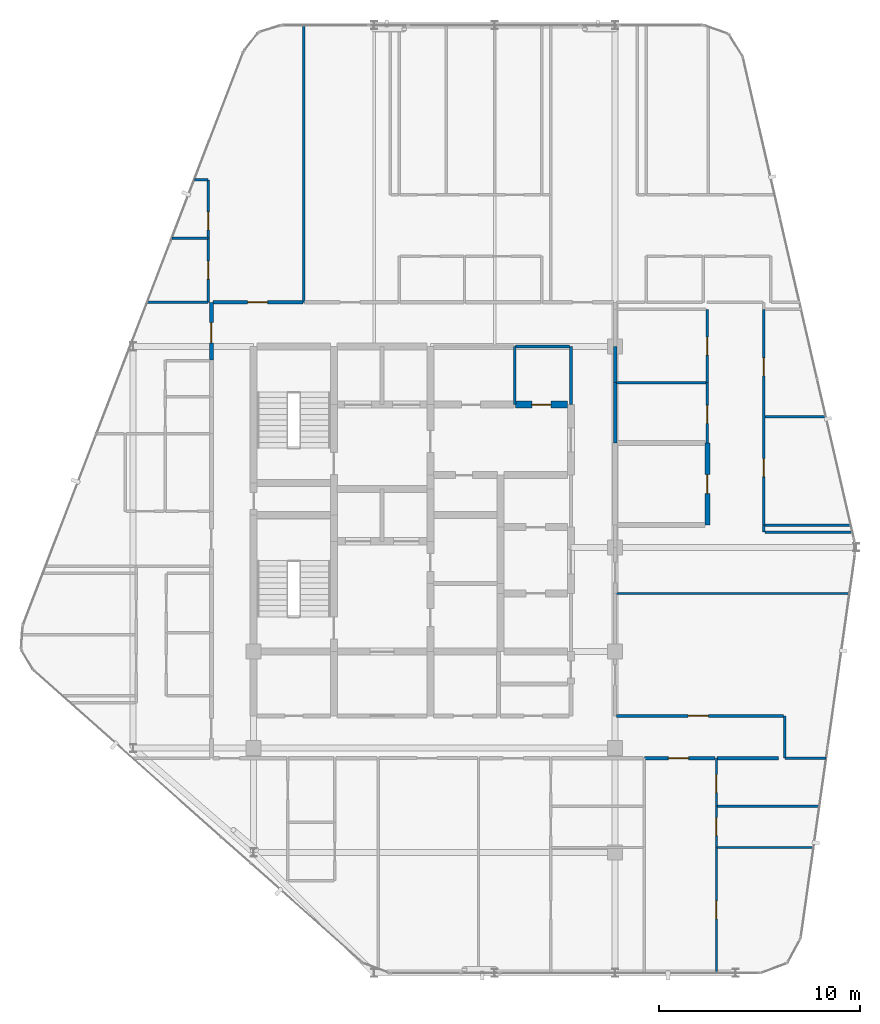
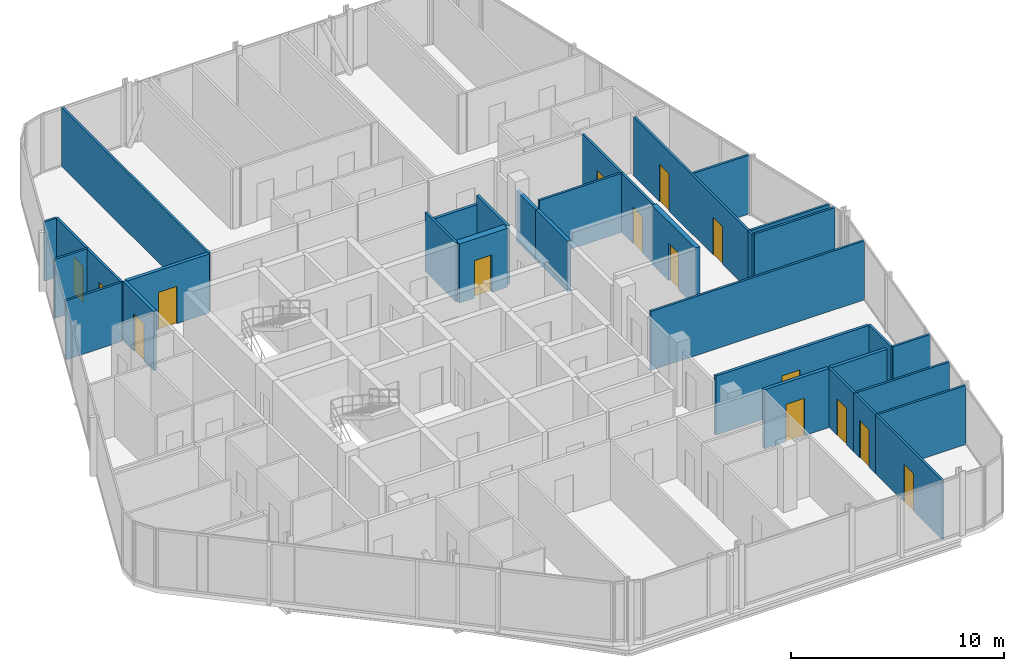
# One storey, part 25 of 28: 34 walls, 15 doors, 15 openings.
"""IFC4 building model written with IfcOpenShell, lengths in metres."""

from ifc_helpers import new_model, si_unit, direction, frame, frame_2d, origin, place, context, subcontext, project, spatial, rectangle, extrude, material, layer, layer_set, type_object, element, fill, save


model = new_model("IFC4")

# Units and contexts
model_context = context("Model", 3, precision=1e-05, world=origin(), true_north=direction((0.0, 1.0)))
body_context = subcontext(model_context, "Body", "Model", "MODEL_VIEW")
ifc_project = project(units=[si_unit("LENGTHUNIT", "METRE"), si_unit("AREAUNIT", "SQUARE_METRE"), si_unit("VOLUMEUNIT", "CUBIC_METRE"), si_unit("PLANEANGLEUNIT", "RADIAN"), si_unit("MASSUNIT", "GRAM", prefix="KILO")], contexts=[model_context])

# Site, building, storey
site_placement = place(None, origin())
site = spatial("IfcSite", under=ifc_project, at=site_placement, CompositionType="ELEMENT")
building_placement = place(site_placement, origin())
building = spatial("IfcBuilding", under=site, at=building_placement, Name="Keshet Zoharim Tower", CompositionType="ELEMENT")
storey_placement = place(building_placement, frame((0.0, 0.0, 265.800048828125)))
storey = spatial("IfcBuildingStorey", under=building, at=storey_placement, Name="L66", CompositionType="ELEMENT", Elevation=265.800048828125)

# Wall
ifc_material_1 = material(Name="Gypsum Plasterboard", Category="gypsum")
ifc_layer_1 = layer(ifc_material_1, 0.14990234375)
ifc_layer_set_1 = layer_set([ifc_layer_1], Name="Gypsum Plasterboard")
wall_type_1 = type_object("IfcWallType", Name="WL-CLIN-150", PredefinedType="STANDARD", material=ifc_layer_set_1)
wall_1_placement = place(storey_placement, frame((30.800048828125, 35.0, 0.0), z_axis=(0.0, 0.0, 1.0), x_axis=(0.0, 1.0, 0.0)))
element("IfcWall", 1, at=wall_1_placement, inside=storey, type_object=wall_type_1, Name="L66 Interior Wall 071", PredefinedType="STANDARD", context=body_context, shape_type="SweptSolid", body=[
    extrude(rectangle(XDim=2.89990234375, YDim=0.14990234375, at=frame_2d((1.449951171875, 0.0))), origin(), (0.0, 0.0, 1.0), 3.389892578125),
])

# Wall, opening, door
wall_2_placement = place(storey_placement, frame((33.06005859375, 19.5, 0.0), z_axis=(0.0, 0.0, 1.0), x_axis=(1.0, 0.0, 0.0)))
wall_2 = element("IfcWall", 2, at=wall_2_placement, inside=storey, type_object=wall_type_1, Name="L66 Interior Wall 117", PredefinedType="STANDARD", context=body_context, shape_type="SweptSolid", body=[
    extrude(rectangle(XDim=8.322998046875, YDim=0.14990234375, at=frame_2d((4.16162109375, 0.0))), origin(), (0.0, 0.0, 1.0), 3.389892578125),
])
opening_1_placement = place(wall_2_placement, frame((3.5830078125, 0.0, 0.0)))
opening_1 = element("IfcOpeningElement", 3, at=opening_1_placement, cuts=wall_2, Name="Opening D-F310", PredefinedType="OPENING", context=body_context, shape_type="SweptSolid", body=[
    extrude(rectangle(XDim=1.0, YDim=2.14990234375, at=frame_2d((0.5, 1.074951171875))), frame((0.0, 0.0849609375, 0.0), z_axis=(0.0, -1.0, 0.0), x_axis=(1.0, 0.0, 0.0)), (0.0, 0.0, 1.0), 0.169921875),
])
ifc_material_2 = material(Name="Hardwood Timber", Category="wood")
door_type_1 = type_object("IfcDoorType", Name="DR-FD30-100", OperationType="NOTDEFINED", PredefinedType="DOOR", material=ifc_material_2)
door_1_placement = place(opening_1_placement, origin())
door_1 = element("IfcDoor", 4, at=door_1_placement, inside=storey, type_object=door_type_1, Name="L66 South West Residents Services Suite Door 1", OperationType="SINGLE_SWING_RIGHT", OverallHeight=2.14990234375, OverallWidth=1.0, PredefinedType="DOOR", context=body_context, shape_type="SweptSolid", body=[
    extrude(rectangle(XDim=1.0, YDim=2.14990234375, at=frame_2d((0.5, 1.074951171875))), frame((0.0, 0.02490234375, 0.0), z_axis=(0.0, -1.0, 0.0), x_axis=(1.0, 0.0, 0.0)), (0.0, 0.0, 1.0), 0.050048828125),
])
fill(opening_1, door_1)

# Wall
wall_3_placement = place(storey_placement, frame((28.044921875, 37.89990234375, 0.0), z_axis=(0.0, 0.0, 1.0), x_axis=(1.0, 0.0, 0.0)))
element("IfcWall", 5, at=wall_3_placement, inside=storey, type_object=wall_type_1, Name="L66 Interior Wall 162", PredefinedType="STANDARD", context=body_context, shape_type="SweptSolid", body=[
    extrude(rectangle(XDim=2.695068359375, YDim=0.14990234375, at=frame_2d((1.34765625, 0.0))), origin(), (0.0, 0.0, 1.0), 2.889892578125),
])

# Wall, opening, door
ifc_material_3 = material(Name="Concrete C60/75", Category="concrete")
ifc_layer_2 = layer(ifc_material_3, 0.35009765625)
ifc_layer_set_2 = layer_set([ifc_layer_2], Name="Concrete C60/75")
wall_type_2 = type_object("IfcWallType", Name="WL-CORE-350", PredefinedType="SHEAR", material=ifc_layer_set_2)
wall_4_placement = place(storey_placement, frame((28.044921875, 35.0, 0.0), z_axis=(0.0, 0.0, 1.0), x_axis=(1.0, 0.0, 0.0)))
wall_4 = element("IfcWall", 6, at=wall_4_placement, inside=storey, type_object=wall_type_2, Name="L66 Core Shear Wall 155", PredefinedType="SHEAR", context=body_context, shape_type="SweptSolid", body=[
    extrude(rectangle(XDim=2.594970703125, YDim=0.35009765625, at=frame_2d((1.29736328125, 0.0))), origin(), (0.0, 0.0, 1.0), 3.389892578125),
])
opening_2_placement = place(wall_4_placement, frame((0.805908203125, 0.0, 0.0)))
opening_2 = element("IfcOpeningElement", 7, at=opening_2_placement, cuts=wall_4, Name="Opening D-F695", PredefinedType="OPENING", context=body_context, shape_type="SweptSolid", body=[
    extrude(rectangle(XDim=0.949951171875, YDim=2.14990234375, at=frame_2d((0.47509765625, 1.074951171875))), frame((0.0, 0.18505859375, 0.0), z_axis=(0.0, -1.0, 0.0), x_axis=(1.0, 0.0, 0.0)), (0.0, 0.0, 1.0), 0.3701171875),
])
door_type_2 = type_object("IfcDoorType", Name="DR-FD60-095", OperationType="NOTDEFINED", PredefinedType="DOOR", material=ifc_material_2)
door_2_placement = place(opening_2_placement, frame((0.949951171875, 0.0, 0.0), z_axis=(0.0, 0.0, 1.0), x_axis=(-1.0, 0.0, 0.0)))
door_2 = element("IfcDoor", 8, at=door_2_placement, inside=storey, type_object=door_type_2, Name="L66 Quiet Study Room Door", OperationType="SINGLE_SWING_RIGHT", OverallHeight=2.14990234375, OverallWidth=0.949951171875, PredefinedType="DOOR", context=body_context, shape_type="SweptSolid", body=[
    extrude(rectangle(XDim=0.949951171875, YDim=2.14990234375, at=frame_2d((0.47509765625, 1.074951171875))), frame((0.0, 0.02490234375, 0.0), z_axis=(0.0, -1.0, 0.0), x_axis=(1.0, 0.0, 0.0)), (0.0, 0.0, 1.0), 0.050048828125),
])
fill(opening_2, door_2)

ifc_layer_3 = layer(ifc_material_1, 0.179931640625)
ifc_layer_set_3 = layer_set([ifc_layer_3], Name="Gypsum Plasterboard")
wall_type_3 = type_object("IfcWallType", Name="WL-CORR-180", PredefinedType="STANDARD", material=ifc_layer_set_3)
wall_5_placement = place(storey_placement, frame((12.89990234375, 37.221923828125, 0.0), z_axis=(0.0, 0.0, 1.0), x_axis=(0.0, 1.0, 0.0)))
wall_5 = element("IfcWall", 9, at=wall_5_placement, inside=storey, type_object=wall_type_3, Name="L66 Interior Wall 020", PredefinedType="STANDARD", context=body_context, shape_type="SweptSolid", body=[
    extrude(rectangle(XDim=2.878173828125, YDim=0.179931640625, at=frame_2d((1.43896484375, 0.0))), origin(), (0.0, 0.0, 1.0), 3.389892578125),
])
opening_3_placement = place(wall_5_placement, frame((0.864013671875, 0.0, 0.0)))
opening_3 = element("IfcOpeningElement", 10, at=opening_3_placement, cuts=wall_5, Name="Opening D-F310", PredefinedType="OPENING", context=body_context, shape_type="SweptSolid", body=[
    extrude(rectangle(XDim=1.0, YDim=2.14990234375, at=frame_2d((0.5, 1.074951171875))), frame((0.0, 0.10009765625, 0.0), z_axis=(0.0, -1.0, 0.0), x_axis=(1.0, 0.0, 0.0)), (0.0, 0.0, 1.0), 0.199951171875),
])
door_3_placement = place(opening_3_placement, origin())
door_3 = element("IfcDoor", 11, at=door_3_placement, inside=storey, type_object=door_type_1, Name="Apartment 6609 Entrance Door", OperationType="SINGLE_SWING_LEFT", OverallHeight=2.14990234375, OverallWidth=1.0, PredefinedType="DOOR", context=body_context, shape_type="SweptSolid", body=[
    extrude(rectangle(XDim=1.0, YDim=2.14990234375, at=frame_2d((0.5, 1.074951171875))), frame((0.0, 0.02490234375, 0.0), z_axis=(0.0, -1.0, 0.0), x_axis=(1.0, 0.0, 0.0)), (0.0, 0.0, 1.0), 0.050048828125),
])
fill(opening_3, door_3)

# Walls
wall_6_placement = place(storey_placement, frame((33.0, 33.0849609375, 0.0), z_axis=(0.0, 0.0, 1.0), x_axis=(0.0, 1.0, 0.0)))
element("IfcWall", 12, at=wall_6_placement, inside=storey, type_object=wall_type_3, Name="L66 Interior Wall 075", PredefinedType="STANDARD", context=body_context, shape_type="SweptSolid", body=[
    extrude(rectangle(XDim=3.010009765625, YDim=0.179931640625, at=frame_2d((1.5048828125, 0.0))), origin(), (0.0, 0.0, 1.0), 2.889892578125),
])
wall_7_placement = place(storey_placement, frame((33.0, 36.094970703125, 0.0), z_axis=(0.0, 0.0, 1.0), x_axis=(0.0, 1.0, 0.0)))
element("IfcWall", 13, at=wall_7_placement, inside=storey, type_object=wall_type_3, Name="L66 Interior Wall 076", PredefinedType="STANDARD", context=body_context, shape_type="SweptSolid", body=[
    extrude(rectangle(XDim=1.804931640625, YDim=0.179931640625, at=frame_2d((0.90234375, 0.0))), origin(), (0.0, 0.0, 1.0), 2.889892578125),
])

# Wall, opening, door
wall_8_placement = place(storey_placement, frame((34.47509765625, 17.39990234375, 0.0), z_axis=(0.0, 0.0, 1.0), x_axis=(1.0, 0.0, 0.0)))
wall_8 = element("IfcWall", 14, at=wall_8_placement, inside=storey, type_object=wall_type_3, Name="L66 Interior Wall 110", PredefinedType="STANDARD", context=body_context, shape_type="SweptSolid", body=[
    extrude(rectangle(XDim=3.510009765625, YDim=0.179931640625, at=frame_2d((1.7548828125, 0.0))), origin(), (0.0, 0.0, 1.0), 3.389892578125),
])
opening_4_placement = place(wall_8_placement, frame((1.18505859375, 0.0, 0.0)))
opening_4 = element("IfcOpeningElement", 15, at=opening_4_placement, cuts=wall_8, Name="Opening D-F310", PredefinedType="OPENING", context=body_context, shape_type="SweptSolid", body=[
    extrude(rectangle(XDim=1.0, YDim=2.14990234375, at=frame_2d((0.5, 1.074951171875))), frame((0.0, 0.10009765625, 0.0), z_axis=(0.0, -1.0, 0.0), x_axis=(1.0, 0.0, 0.0)), (0.0, 0.0, 1.0), 0.199951171875),
])
door_4_placement = place(opening_4_placement, origin())
door_4 = element("IfcDoor", 16, at=door_4_placement, inside=storey, type_object=door_type_1, Name="Apartment 6603 Entrance Door", OperationType="SINGLE_SWING_LEFT", OverallHeight=2.14990234375, OverallWidth=1.0, PredefinedType="DOOR", context=body_context, shape_type="SweptSolid", body=[
    extrude(rectangle(XDim=1.0, YDim=2.14990234375, at=frame_2d((0.5, 1.074951171875))), frame((0.0, 0.02490234375, 0.0), z_axis=(0.0, -1.0, 0.0), x_axis=(1.0, 0.0, 0.0)), (0.0, 0.0, 1.0), 0.050048828125),
])
fill(opening_4, door_4)

# Wall
wall_9_placement = place(storey_placement, frame((38.074951171875, 17.39990234375, 0.0), z_axis=(0.0, 0.0, 1.0), x_axis=(1.0, 0.0, 0.0)))
element("IfcWall", 17, at=wall_9_placement, inside=storey, type_object=wall_type_3, Name="L66 Interior Wall 111", PredefinedType="STANDARD", context=body_context, shape_type="SweptSolid", body=[
    extrude(rectangle(XDim=3.054931640625, YDim=0.179931640625, at=frame_2d((1.52734375, 0.0))), origin(), (0.0, 0.0, 1.0), 3.389892578125),
])

# Wall, opening, door
wall_10_placement = place(storey_placement, frame((12.97509765625, 40.10009765625, 0.0), z_axis=(0.0, 0.0, 1.0), x_axis=(1.0, 0.0, 0.0)))
wall_10 = element("IfcWall", 18, at=wall_10_placement, inside=storey, type_object=wall_type_3, Name="L66 Interior Wall 166", PredefinedType="STANDARD", context=body_context, shape_type="SweptSolid", body=[
    extrude(rectangle(XDim=4.47998046875, YDim=0.179931640625, at=frame_2d((2.239990234375, 0.0))), origin(), (0.0, 0.0, 1.0), 3.389892578125),
])
opening_5_placement = place(wall_10_placement, frame((1.72509765625, 0.0, 0.0)))
opening_5 = element("IfcOpeningElement", 19, at=opening_5_placement, cuts=wall_10, Name="Opening D-F310", PredefinedType="OPENING", context=body_context, shape_type="SweptSolid", body=[
    extrude(rectangle(XDim=1.0, YDim=2.14990234375, at=frame_2d((0.5, 1.074951171875))), frame((0.0, 0.10009765625, 0.0), z_axis=(0.0, -1.0, 0.0), x_axis=(1.0, 0.0, 0.0)), (0.0, 0.0, 1.0), 0.199951171875),
])
door_5_placement = place(opening_5_placement, origin())
door_5 = element("IfcDoor", 20, at=door_5_placement, inside=storey, type_object=door_type_1, Name="Apartment 6604 Entrance Door", OperationType="SINGLE_SWING_LEFT", OverallHeight=2.14990234375, OverallWidth=1.0, PredefinedType="DOOR", context=body_context, shape_type="SweptSolid", body=[
    extrude(rectangle(XDim=1.0, YDim=2.14990234375, at=frame_2d((0.5, 1.074951171875))), frame((0.0, 0.02490234375, 0.0), z_axis=(0.0, -1.0, 0.0), x_axis=(1.0, 0.0, 0.0)), (0.0, 0.0, 1.0), 0.050048828125),
])
fill(opening_5, door_5)

ifc_material_4 = material(Name="Concrete C50/60", Category="concrete")
ifc_layer_4 = layer(ifc_material_4, 0.25)
ifc_layer_set_4 = layer_set([ifc_layer_4], Name="Concrete C50/60")
wall_type_4 = type_object("IfcWallType", Name="WL-MAMAD-250", PredefinedType="STANDARD", material=ifc_layer_set_4)
wall_11_placement = place(storey_placement, frame((37.60009765625, 29.0, 0.0), z_axis=(0.0, 0.0, 1.0), x_axis=(0.0, 1.0, 0.0)))
wall_11 = element("IfcWall", 21, at=wall_11_placement, inside=storey, type_object=wall_type_4, Name="L66 Interior Wall 085", PredefinedType="STANDARD", context=body_context, shape_type="SweptSolid", body=[
    extrude(rectangle(XDim=4.0849609375, YDim=0.25, at=frame_2d((2.04248046875, 0.0))), origin(), (0.0, 0.0, 1.0), 3.389892578125),
])
opening_6_placement = place(wall_11_placement, frame((1.568115234375, 0.0, 0.0)))
opening_6 = element("IfcOpeningElement", 22, at=opening_6_placement, cuts=wall_11, Name="Opening D-F695", PredefinedType="OPENING", context=body_context, shape_type="SweptSolid", body=[
    extrude(rectangle(XDim=0.949951171875, YDim=2.14990234375, at=frame_2d((0.47509765625, 1.074951171875))), frame((0.0, 0.135009765625, 0.0), z_axis=(0.0, -1.0, 0.0), x_axis=(1.0, 0.0, 0.0)), (0.0, 0.0, 1.0), 0.27001953125),
])
door_6_placement = place(opening_6_placement, origin())
door_6 = element("IfcDoor", 23, at=door_6_placement, inside=storey, type_object=door_type_2, Name="Apartment 6610 Study and Shelter Room Door", OperationType="SINGLE_SWING_RIGHT", OverallHeight=2.14990234375, OverallWidth=0.949951171875, PredefinedType="DOOR", context=body_context, shape_type="SweptSolid", body=[
    extrude(rectangle(XDim=0.949951171875, YDim=2.14990234375, at=frame_2d((0.47509765625, 1.074951171875))), frame((0.0, 0.02490234375, 0.0), z_axis=(0.0, -1.0, 0.0), x_axis=(1.0, 0.0, 0.0)), (0.0, 0.0, 1.0), 0.050048828125),
])
fill(opening_6, door_6)

ifc_layer_5 = layer(ifc_material_1, 0.1201171875)
ifc_layer_set_5 = layer_set([ifc_layer_5], Name="Gypsum Plasterboard")
wall_type_5 = type_object("IfcWallType", Name="WL-PART-120", PredefinedType="PARTITIONING", material=ifc_layer_set_5)
wall_12_placement = place(storey_placement, frame((12.75, 40.10009765625, 0.0), z_axis=(0.0, 0.0, 1.0), x_axis=(0.0, 1.0, 0.0)))
wall_12 = element("IfcWall", 24, at=wall_12_placement, inside=storey, type_object=wall_type_5, Name="L66 Interior Wall 010", PredefinedType="PARTITIONING", context=body_context, shape_type="SweptSolid", body=[
    extrude(rectangle(XDim=3.199951171875, YDim=0.1201171875, at=frame_2d((1.60009765625, 0.0))), origin(), (0.0, 0.0, 1.0), 3.389892578125),
])
opening_7_placement = place(wall_12_placement, frame((1.14990234375, 0.0, 0.0)))
opening_7 = element("IfcOpeningElement", 25, at=opening_7_placement, cuts=wall_12, Name="Opening D-IN90", PredefinedType="OPENING", context=body_context, shape_type="SweptSolid", body=[
    extrude(rectangle(XDim=0.89990234375, YDim=2.14990234375, at=frame_2d((0.449951171875, 1.074951171875))), frame((0.0, 0.070068359375, 0.0), z_axis=(0.0, -1.0, 0.0), x_axis=(1.0, 0.0, 0.0)), (0.0, 0.0, 1.0), 0.14013671875),
])
door_type_3 = type_object("IfcDoorType", Name="DR-INT-090", OperationType="NOTDEFINED", PredefinedType="DOOR", material=ifc_material_2)
door_7_placement = place(opening_7_placement, origin())
door_7 = element("IfcDoor", 26, at=door_7_placement, inside=storey, type_object=door_type_3, Name="Apartment 6604 Kitchenette Door", OperationType="SINGLE_SWING_LEFT", OverallHeight=2.14990234375, OverallWidth=0.89990234375, PredefinedType="DOOR", context=body_context, shape_type="SweptSolid", body=[
    extrude(rectangle(XDim=0.89990234375, YDim=2.14990234375, at=frame_2d((0.449951171875, 1.074951171875))), frame((0.0, 0.02490234375, 0.0), z_axis=(0.0, -1.0, 0.0), x_axis=(1.0, 0.0, 0.0)), (0.0, 0.0, 1.0), 0.050048828125),
])
fill(opening_7, door_7)

# Walls
wall_13_placement = place(storey_placement, frame((17.5, 40.10009765625, 0.0), z_axis=(0.0, 0.0, 1.0), x_axis=(0.0, 1.0, 0.0)))
element("IfcWall", 27, at=wall_13_placement, inside=storey, type_object=wall_type_5, Name="L66 Interior Wall 027", PredefinedType="PARTITIONING", context=body_context, shape_type="SweptSolid", body=[
    extrude(rectangle(XDim=13.789794921875, YDim=0.1201171875, at=frame_2d((6.89501953125, 0.0))), origin(), (0.0, 0.0, 1.0), 3.389892578125),
])
wall_14_placement = place(storey_placement, frame((28.0, 35.0, 0.0), z_axis=(0.0, 0.0, 1.0), x_axis=(0.0, 1.0, 0.0)))
element("IfcWall", 28, at=wall_14_placement, inside=storey, type_object=wall_type_5, Name="L66 Interior Wall 058", PredefinedType="PARTITIONING", context=body_context, shape_type="SweptSolid", body=[
    extrude(rectangle(XDim=2.89990234375, YDim=0.1201171875, at=frame_2d((1.449951171875, 0.0))), origin(), (0.0, 0.0, 1.0), 3.389892578125),
])

# Wall, opening, door
wall_15_placement = place(storey_placement, frame((37.60009765625, 36.094970703125, 0.0), z_axis=(0.0, 0.0, 1.0), x_axis=(0.0, 1.0, 0.0)))
wall_15 = element("IfcWall", 29, at=wall_15_placement, inside=storey, type_object=wall_type_5, Name="L66 Interior Wall 087", PredefinedType="PARTITIONING", context=body_context, shape_type="SweptSolid", body=[
    extrude(rectangle(XDim=3.655029296875, YDim=0.1201171875, at=frame_2d((1.82763671875, 0.0))), origin(), (0.0, 0.0, 1.0), 3.389892578125),
])
opening_8_placement = place(wall_15_placement, frame((1.376953125, 0.0, 0.0)))
opening_8 = element("IfcOpeningElement", 30, at=opening_8_placement, cuts=wall_15, Name="Opening D-IN90", PredefinedType="OPENING", context=body_context, shape_type="SweptSolid", body=[
    extrude(rectangle(XDim=0.89990234375, YDim=2.14990234375, at=frame_2d((0.449951171875, 1.074951171875))), frame((0.0, 0.070068359375, 0.0), z_axis=(0.0, -1.0, 0.0), x_axis=(1.0, 0.0, 0.0)), (0.0, 0.0, 1.0), 0.14013671875),
])
door_8_placement = place(opening_8_placement, origin())
door_8 = element("IfcDoor", 31, at=door_8_placement, inside=storey, type_object=door_type_3, Name="Apartment 6610 Kitchen Door", OperationType="SINGLE_SWING_RIGHT", OverallHeight=2.14990234375, OverallWidth=0.89990234375, PredefinedType="DOOR", context=body_context, shape_type="SweptSolid", body=[
    extrude(rectangle(XDim=0.89990234375, YDim=2.14990234375, at=frame_2d((0.449951171875, 1.074951171875))), frame((0.0, 0.02490234375, 0.0), z_axis=(0.0, -1.0, 0.0), x_axis=(1.0, 0.0, 0.0)), (0.0, 0.0, 1.0), 0.050048828125),
])
fill(opening_8, door_8)

wall_16_placement = place(storey_placement, frame((38.050048828125, 6.7099609375, 0.0), z_axis=(0.0, 0.0, 1.0), x_axis=(0.0, 1.0, 0.0)))
wall_16 = element("IfcWall", 32, at=wall_16_placement, inside=storey, type_object=wall_type_5, Name="L66 Interior Wall 089", PredefinedType="PARTITIONING", context=body_context, shape_type="SweptSolid", body=[
    extrude(rectangle(XDim=6.260009765625, YDim=0.1201171875, at=frame_2d((3.1298828125, 0.0))), origin(), (0.0, 0.0, 1.0), 3.389892578125),
])
opening_9_placement = place(wall_16_placement, frame((2.679931640625, 0.0, 0.0)))
opening_9 = element("IfcOpeningElement", 33, at=opening_9_placement, cuts=wall_16, Name="Opening D-IN90", PredefinedType="OPENING", context=body_context, shape_type="SweptSolid", body=[
    extrude(rectangle(XDim=0.89990234375, YDim=2.14990234375, at=frame_2d((0.449951171875, 1.074951171875))), frame((0.0, 0.070068359375, 0.0), z_axis=(0.0, -1.0, 0.0), x_axis=(1.0, 0.0, 0.0)), (0.0, 0.0, 1.0), 0.14013671875),
])
door_9_placement = place(opening_9_placement, origin())
door_9 = element("IfcDoor", 34, at=door_9_placement, inside=storey, type_object=door_type_3, Name="Apartment 6603 Bedroom 1 Door", OperationType="SINGLE_SWING_LEFT", OverallHeight=2.14990234375, OverallWidth=0.89990234375, PredefinedType="DOOR", context=body_context, shape_type="SweptSolid", body=[
    extrude(rectangle(XDim=0.89990234375, YDim=2.14990234375, at=frame_2d((0.449951171875, 1.074951171875))), frame((0.0, 0.02490234375, 0.0), z_axis=(0.0, -1.0, 0.0), x_axis=(1.0, 0.0, 0.0)), (0.0, 0.0, 1.0), 0.050048828125),
])
fill(opening_9, door_9)

wall_17_placement = place(storey_placement, frame((38.050048828125, 12.969970703125, 0.0), z_axis=(0.0, 0.0, 1.0), x_axis=(0.0, 1.0, 0.0)))
wall_17 = element("IfcWall", 35, at=wall_17_placement, inside=storey, type_object=wall_type_5, Name="L66 Interior Wall 090", PredefinedType="PARTITIONING", context=body_context, shape_type="SweptSolid", body=[
    extrude(rectangle(XDim=2.0380859375, YDim=0.1201171875, at=frame_2d((1.01904296875, 0.0))), origin(), (0.0, 0.0, 1.0), 3.389892578125),
])
opening_10_placement = place(wall_17_placement, frame((0.569091796875, 0.0, 0.0)))
opening_10 = element("IfcOpeningElement", 36, at=opening_10_placement, cuts=wall_17, Name="Opening D-IN90", PredefinedType="OPENING", context=body_context, shape_type="SweptSolid", body=[
    extrude(rectangle(XDim=0.89990234375, YDim=2.14990234375, at=frame_2d((0.449951171875, 1.074951171875))), frame((0.0, 0.070068359375, 0.0), z_axis=(0.0, -1.0, 0.0), x_axis=(1.0, 0.0, 0.0)), (0.0, 0.0, 1.0), 0.14013671875),
])
door_10_placement = place(opening_10_placement, origin())
door_10 = element("IfcDoor", 37, at=door_10_placement, inside=storey, type_object=door_type_3, Name="Apartment 6603 Kitchen Door", OperationType="SINGLE_SWING_RIGHT", OverallHeight=2.14990234375, OverallWidth=0.89990234375, PredefinedType="DOOR", context=body_context, shape_type="SweptSolid", body=[
    extrude(rectangle(XDim=0.89990234375, YDim=2.14990234375, at=frame_2d((0.449951171875, 1.074951171875))), frame((0.0, 0.02490234375, 0.0), z_axis=(0.0, -1.0, 0.0), x_axis=(1.0, 0.0, 0.0)), (0.0, 0.0, 1.0), 0.050048828125),
])
fill(opening_10, door_10)

# Wall
wall_18_placement = place(storey_placement, frame((40.39990234375, 28.64990234375, 0.0), z_axis=(0.0, 0.0, 1.0), x_axis=(0.0, 1.0, 0.0)))
element("IfcWall", 38, at=wall_18_placement, inside=storey, type_object=wall_type_5, Name="L66 Interior Wall 092", PredefinedType="PARTITIONING", context=body_context, shape_type="SweptSolid", body=[
    extrude(rectangle(XDim=0.35009765625, YDim=0.1201171875, at=frame_2d((0.175048828125, 0.0))), origin(), (0.0, 0.0, 1.0), 3.389892578125),
])

# Wall, openings, doors
wall_19_placement = place(storey_placement, frame((40.39990234375, 29.0, 0.0), z_axis=(0.0, 0.0, 1.0), x_axis=(0.0, 1.0, 0.0)))
wall_19 = element("IfcWall", 39, at=wall_19_placement, inside=storey, type_object=wall_type_5, Name="L66 Interior Wall 093", PredefinedType="PARTITIONING", context=body_context, shape_type="SweptSolid", body=[
    extrude(rectangle(XDim=10.75, YDim=0.1201171875, at=frame_2d((5.375, 0.0))), origin(), (0.0, 0.0, 1.0), 3.389892578125),
])
opening_11_placement = place(wall_19_placement, frame((2.4130859375, 0.0, 0.0)))
opening_11 = element("IfcOpeningElement", 40, at=opening_11_placement, cuts=wall_19, Name="Opening D-IN90", PredefinedType="OPENING", context=body_context, shape_type="SweptSolid", body=[
    extrude(rectangle(XDim=0.89990234375, YDim=2.14990234375, at=frame_2d((0.449951171875, 1.074951171875))), frame((0.0, 0.070068359375, 0.0), z_axis=(0.0, -1.0, 0.0), x_axis=(1.0, 0.0, 0.0)), (0.0, 0.0, 1.0), 0.14013671875),
])
opening_12_placement = place(wall_19_placement, frame((7.43798828125, 0.0, 0.0)))
opening_12 = element("IfcOpeningElement", 41, at=opening_12_placement, cuts=wall_19, Name="Opening D-IN90", PredefinedType="OPENING", context=body_context, shape_type="SweptSolid", body=[
    extrude(rectangle(XDim=0.89990234375, YDim=2.14990234375, at=frame_2d((0.449951171875, 1.074951171875))), frame((0.0, 0.070068359375, 0.0), z_axis=(0.0, -1.0, 0.0), x_axis=(1.0, 0.0, 0.0)), (0.0, 0.0, 1.0), 0.14013671875),
])
door_11_placement = place(opening_11_placement, origin())
door_11 = element("IfcDoor", 42, at=door_11_placement, inside=storey, type_object=door_type_3, Name="Apartment 6610 Bedroom 1 Door", OperationType="SINGLE_SWING_RIGHT", OverallHeight=2.14990234375, OverallWidth=0.89990234375, PredefinedType="DOOR", context=body_context, shape_type="SweptSolid", body=[
    extrude(rectangle(XDim=0.89990234375, YDim=2.14990234375, at=frame_2d((0.449951171875, 1.074951171875))), frame((0.0, 0.02490234375, 0.0), z_axis=(0.0, -1.0, 0.0), x_axis=(1.0, 0.0, 0.0)), (0.0, 0.0, 1.0), 0.050048828125),
])
fill(opening_11, door_11)
door_12_placement = place(opening_12_placement, origin())
door_12 = element("IfcDoor", 43, at=door_12_placement, inside=storey, type_object=door_type_3, Name="Apartment 6610 Bedroom 2 Door", OperationType="SINGLE_SWING_LEFT", OverallHeight=2.14990234375, OverallWidth=0.89990234375, PredefinedType="DOOR", context=body_context, shape_type="SweptSolid", body=[
    extrude(rectangle(XDim=0.89990234375, YDim=2.14990234375, at=frame_2d((0.449951171875, 1.074951171875))), frame((0.0, 0.02490234375, 0.0), z_axis=(0.0, -1.0, 0.0), x_axis=(1.0, 0.0, 0.0)), (0.0, 0.0, 1.0), 0.050048828125),
])
fill(opening_12, door_12)

# Walls
wall_20_placement = place(storey_placement, frame((41.449951171875, 17.39990234375, 0.0), z_axis=(0.0, 0.0, 1.0), x_axis=(0.0, 1.0, 0.0)))
element("IfcWall", 44, at=wall_20_placement, inside=storey, type_object=wall_type_5, Name="L66 Interior Wall 096", PredefinedType="PARTITIONING", context=body_context, shape_type="SweptSolid", body=[
    extrude(rectangle(XDim=2.09912109375, YDim=0.1201171875, at=frame_2d((1.049560546875, 0.0))), origin(), (0.0, 0.0, 1.0), 3.389892578125),
])
wall_21_placement = place(storey_placement, frame((38.074951171875, 12.949951171875, 0.0), z_axis=(0.0, 0.0, 1.0), x_axis=(1.0, 0.0, 0.0)))
element("IfcWall", 45, at=wall_21_placement, inside=storey, type_object=wall_type_5, Name="L66 Interior Wall 099", PredefinedType="PARTITIONING", context=body_context, shape_type="SweptSolid", body=[
    extrude(rectangle(XDim=4.799072265625, YDim=0.1201171875, at=frame_2d((2.3994140625, 0.0))), origin(), (0.0, 0.0, 1.0), 3.389892578125),
])
wall_22_placement = place(storey_placement, frame((33.074951171875, 25.60009765625, 0.0), z_axis=(0.0, 0.0, 1.0), x_axis=(1.0, 0.0, 0.0)))
element("IfcWall", 46, at=wall_22_placement, inside=storey, type_object=wall_type_5, Name="L66 Interior Wall 129", PredefinedType="PARTITIONING", context=body_context, shape_type="SweptSolid", body=[
    extrude(rectangle(XDim=11.590087890625, YDim=0.1201171875, at=frame_2d((5.794921875, 0.0))), origin(), (0.0, 0.0, 1.0), 3.389892578125),
])
wall_23_placement = place(storey_placement, frame((40.465087890625, 28.64990234375, 0.0), z_axis=(0.0, 0.0, 1.0), x_axis=(1.0, 0.0, 0.0)))
element("IfcWall", 47, at=wall_23_placement, inside=storey, type_object=wall_type_5, Name="L66 Interior Wall 136", PredefinedType="PARTITIONING", context=body_context, shape_type="SweptSolid", body=[
    extrude(rectangle(XDim=4.350830078125, YDim=0.1201171875, at=frame_2d((2.17529296875, 0.0))), origin(), (0.0, 0.0, 1.0), 3.389892578125),
])
wall_24_placement = place(storey_placement, frame((40.465087890625, 29.0, 0.0), z_axis=(0.0, 0.0, 1.0), x_axis=(1.0, 0.0, 0.0)))
element("IfcWall", 48, at=wall_24_placement, inside=storey, type_object=wall_type_5, Name="L66 Interior Wall 139", PredefinedType="PARTITIONING", context=body_context, shape_type="SweptSolid", body=[
    extrude(rectangle(XDim=4.27099609375, YDim=0.1201171875, at=frame_2d((2.135498046875, 0.0))), origin(), (0.0, 0.0, 1.0), 3.389892578125),
])
wall_25_placement = place(storey_placement, frame((40.465087890625, 34.39990234375, 0.0), z_axis=(0.0, 0.0, 1.0), x_axis=(1.0, 0.0, 0.0)))
element("IfcWall", 49, at=wall_25_placement, inside=storey, type_object=wall_type_5, Name="L66 Interior Wall 152", PredefinedType="PARTITIONING", context=body_context, shape_type="SweptSolid", body=[
    extrude(rectangle(XDim=3.02490234375, YDim=0.1201171875, at=frame_2d((1.512451171875, 0.0))), origin(), (0.0, 0.0, 1.0), 3.389892578125),
])
wall_26_placement = place(storey_placement, frame((9.701904296875, 40.10009765625, 0.0), z_axis=(0.0, 0.0, 1.0), x_axis=(1.0, 0.0, 0.0)))
element("IfcWall", 50, at=wall_26_placement, inside=storey, type_object=wall_type_5, Name="L66 Interior Wall 165", PredefinedType="PARTITIONING", context=body_context, shape_type="SweptSolid", body=[
    extrude(rectangle(XDim=3.01904296875, YDim=0.1201171875, at=frame_2d((1.509521484375, 0.0))), origin(), (0.0, 0.0, 1.0), 3.389892578125),
])

# Wall, opening, door
ifc_layer_6 = layer(ifc_material_1, 0.1201171875)
ifc_layer_set_6 = layer_set([ifc_layer_6], Name="Gypsum Plasterboard")
wall_type_6 = type_object("IfcWallType", Name="WL-WET-120", PredefinedType="PARTITIONING", material=ifc_layer_set_6)
wall_27_placement = place(storey_placement, frame((12.75, 43.300048828125, 0.0), z_axis=(0.0, 0.0, 1.0), x_axis=(0.0, 1.0, 0.0)))
wall_27 = element("IfcWall", 51, at=wall_27_placement, inside=storey, type_object=wall_type_6, Name="L66 Interior Wall 011", PredefinedType="PARTITIONING", context=body_context, shape_type="SweptSolid", body=[
    extrude(rectangle(XDim=2.89990234375, YDim=0.1201171875, at=frame_2d((1.449951171875, 0.0))), origin(), (0.0, 0.0, 1.0), 3.389892578125),
])
opening_13_placement = place(wall_27_placement, frame((0.406982421875, 0.0, 0.0)))
opening_13 = element("IfcOpeningElement", 52, at=opening_13_placement, cuts=wall_27, Name="Opening D-WT90", PredefinedType="OPENING", context=body_context, shape_type="SweptSolid", body=[
    extrude(rectangle(XDim=0.89990234375, YDim=2.10009765625, at=frame_2d((0.449951171875, 1.050048828125))), frame((0.0, 0.070068359375, 0.0), z_axis=(0.0, -1.0, 0.0), x_axis=(1.0, 0.0, 0.0)), (0.0, 0.0, 1.0), 0.14013671875),
])
door_type_4 = type_object("IfcDoorType", Name="DR-WET-090", OperationType="NOTDEFINED", PredefinedType="DOOR", material=ifc_material_2)
door_13_placement = place(opening_13_placement, origin())
door_13 = element("IfcDoor", 53, at=door_13_placement, inside=storey, type_object=door_type_4, Name="Apartment 6604 Bathroom Door", OperationType="SINGLE_SWING_RIGHT", OverallHeight=2.10009765625, OverallWidth=0.89990234375, PredefinedType="DOOR", context=body_context, shape_type="SweptSolid", body=[
    extrude(rectangle(XDim=0.89990234375, YDim=2.10009765625, at=frame_2d((0.449951171875, 1.050048828125))), frame((0.0, 0.02490234375, 0.0), z_axis=(0.0, -1.0, 0.0), x_axis=(1.0, 0.0, 0.0)), (0.0, 0.0, 1.0), 0.050048828125),
])
fill(opening_13, door_13)

wall_28_placement = place(storey_placement, frame((37.60009765625, 33.0849609375, 0.0), z_axis=(0.0, 0.0, 1.0), x_axis=(0.0, 1.0, 0.0)))
wall_28 = element("IfcWall", 54, at=wall_28_placement, inside=storey, type_object=wall_type_6, Name="L66 Interior Wall 086", PredefinedType="PARTITIONING", context=body_context, shape_type="SweptSolid", body=[
    extrude(rectangle(XDim=3.010009765625, YDim=0.1201171875, at=frame_2d((1.5048828125, 0.0))), origin(), (0.0, 0.0, 1.0), 3.389892578125),
])
opening_14_placement = place(wall_28_placement, frame((0.98193359375, 0.0, 0.0)))
opening_14 = element("IfcOpeningElement", 55, at=opening_14_placement, cuts=wall_28, Name="Opening D-WT90", PredefinedType="OPENING", context=body_context, shape_type="SweptSolid", body=[
    extrude(rectangle(XDim=0.89990234375, YDim=2.10009765625, at=frame_2d((0.449951171875, 1.050048828125))), frame((0.0, 0.070068359375, 0.0), z_axis=(0.0, -1.0, 0.0), x_axis=(1.0, 0.0, 0.0)), (0.0, 0.0, 1.0), 0.14013671875),
])
door_14_placement = place(opening_14_placement, origin())
door_14 = element("IfcDoor", 56, at=door_14_placement, inside=storey, type_object=door_type_4, Name="Apartment 6610 Bathroom Door", OperationType="SINGLE_SWING_LEFT", OverallHeight=2.10009765625, OverallWidth=0.89990234375, PredefinedType="DOOR", context=body_context, shape_type="SweptSolid", body=[
    extrude(rectangle(XDim=0.89990234375, YDim=2.10009765625, at=frame_2d((0.449951171875, 1.050048828125))), frame((0.0, 0.02490234375, 0.0), z_axis=(0.0, -1.0, 0.0), x_axis=(1.0, 0.0, 0.0)), (0.0, 0.0, 1.0), 0.050048828125),
])
fill(opening_14, door_14)

wall_29_placement = place(storey_placement, frame((38.050048828125, 15.008056640625, 0.0), z_axis=(0.0, 0.0, 1.0), x_axis=(0.0, 1.0, 0.0)))
wall_29 = element("IfcWall", 57, at=wall_29_placement, inside=storey, type_object=wall_type_6, Name="L66 Interior Wall 091", PredefinedType="PARTITIONING", context=body_context, shape_type="SweptSolid", body=[
    extrude(rectangle(XDim=2.391845703125, YDim=0.1201171875, at=frame_2d((1.19580078125, 0.0))), origin(), (0.0, 0.0, 1.0), 3.389892578125),
])
opening_15_placement = place(wall_29_placement, frame((0.675048828125, 0.0, 0.0)))
opening_15 = element("IfcOpeningElement", 58, at=opening_15_placement, cuts=wall_29, Name="Opening D-WT90", PredefinedType="OPENING", context=body_context, shape_type="SweptSolid", body=[
    extrude(rectangle(XDim=0.89990234375, YDim=2.10009765625, at=frame_2d((0.449951171875, 1.050048828125))), frame((0.0, 0.070068359375, 0.0), z_axis=(0.0, -1.0, 0.0), x_axis=(1.0, 0.0, 0.0)), (0.0, 0.0, 1.0), 0.14013671875),
])
door_15_placement = place(opening_15_placement, origin())
door_15 = element("IfcDoor", 59, at=door_15_placement, inside=storey, type_object=door_type_4, Name="Apartment 6603 Bathroom Door", OperationType="SINGLE_SWING_LEFT", OverallHeight=2.10009765625, OverallWidth=0.89990234375, PredefinedType="DOOR", context=body_context, shape_type="SweptSolid", body=[
    extrude(rectangle(XDim=0.89990234375, YDim=2.10009765625, at=frame_2d((0.449951171875, 1.050048828125))), frame((0.0, 0.02490234375, 0.0), z_axis=(0.0, -1.0, 0.0), x_axis=(1.0, 0.0, 0.0)), (0.0, 0.0, 1.0), 0.050048828125),
])
fill(opening_15, door_15)

# Walls
wall_30_placement = place(storey_placement, frame((38.074951171875, 15.0, 0.0), z_axis=(0.0, 0.0, 1.0), x_axis=(1.0, 0.0, 0.0)))
element("IfcWall", 60, at=wall_30_placement, inside=storey, type_object=wall_type_6, Name="L66 Interior Wall 102", PredefinedType="PARTITIONING", context=body_context, shape_type="SweptSolid", body=[
    extrude(rectangle(XDim=5.089111328125, YDim=0.1201171875, at=frame_2d((2.54443359375, 0.0))), origin(), (0.0, 0.0, 1.0), 3.389892578125),
])
wall_31_placement = place(storey_placement, frame((41.472900390625, 17.39990234375, 0.0), z_axis=(0.0, 0.0, 1.0), x_axis=(1.0, 0.0, 0.0)))
element("IfcWall", 61, at=wall_31_placement, inside=storey, type_object=wall_type_6, Name="L66 Interior Wall 112", PredefinedType="PARTITIONING", context=body_context, shape_type="SweptSolid", body=[
    extrude(rectangle(XDim=2.031005859375, YDim=0.1201171875, at=frame_2d((1.015625, 0.0))), origin(), (0.0, 0.0, 1.0), 3.389892578125),
])
wall_32_placement = place(storey_placement, frame((33.074951171875, 36.10009765625, 0.0), z_axis=(0.0, 0.0, 1.0), x_axis=(1.0, 0.0, 0.0)))
element("IfcWall", 62, at=wall_32_placement, inside=storey, type_object=wall_type_6, Name="L66 Interior Wall 157", PredefinedType="PARTITIONING", context=body_context, shape_type="SweptSolid", body=[
    extrude(rectangle(XDim=4.4599609375, YDim=0.1201171875, at=frame_2d((2.22998046875, 0.0))), origin(), (0.0, 0.0, 1.0), 3.389892578125),
])
wall_33_placement = place(storey_placement, frame((10.93310546875, 43.300048828125, 0.0), z_axis=(0.0, 0.0, 1.0), x_axis=(1.0, 0.0, 0.0)))
element("IfcWall", 63, at=wall_33_placement, inside=storey, type_object=wall_type_6, Name="L66 Interior Wall 179", PredefinedType="PARTITIONING", context=body_context, shape_type="SweptSolid", body=[
    extrude(rectangle(XDim=1.787841796875, YDim=0.1201171875, at=frame_2d((0.89404296875, 0.0))), origin(), (0.0, 0.0, 1.0), 3.389892578125),
])
wall_34_placement = place(storey_placement, frame((12.048095703125, 46.199951171875, 0.0), z_axis=(0.0, 0.0, 1.0), x_axis=(1.0, 0.0, 0.0)))
element("IfcWall", 64, at=wall_34_placement, inside=storey, type_object=wall_type_6, Name="L66 Interior Wall 185", PredefinedType="PARTITIONING", context=body_context, shape_type="SweptSolid", body=[
    extrude(rectangle(XDim=0.6728515625, YDim=0.1201171875, at=frame_2d((0.33642578125, 0.0))), origin(), (0.0, 0.0, 1.0), 3.389892578125),
])

save(model, "model.ifc")
